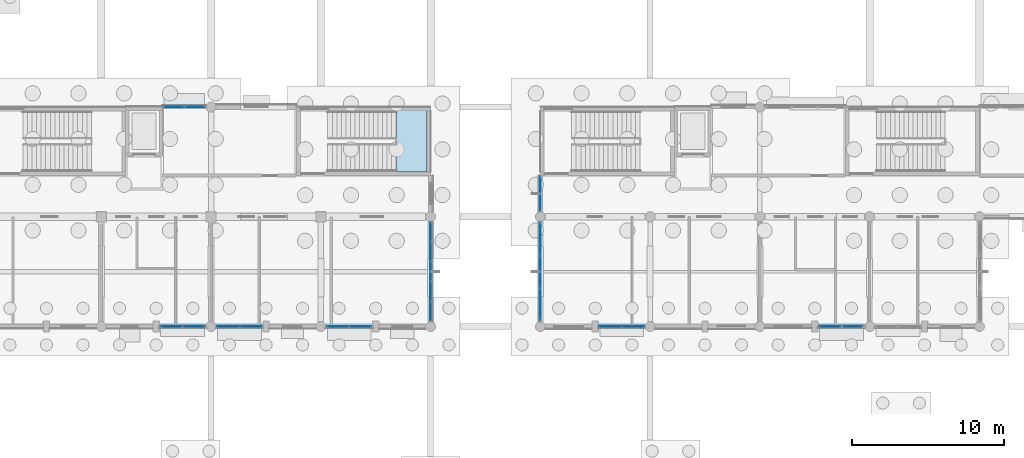
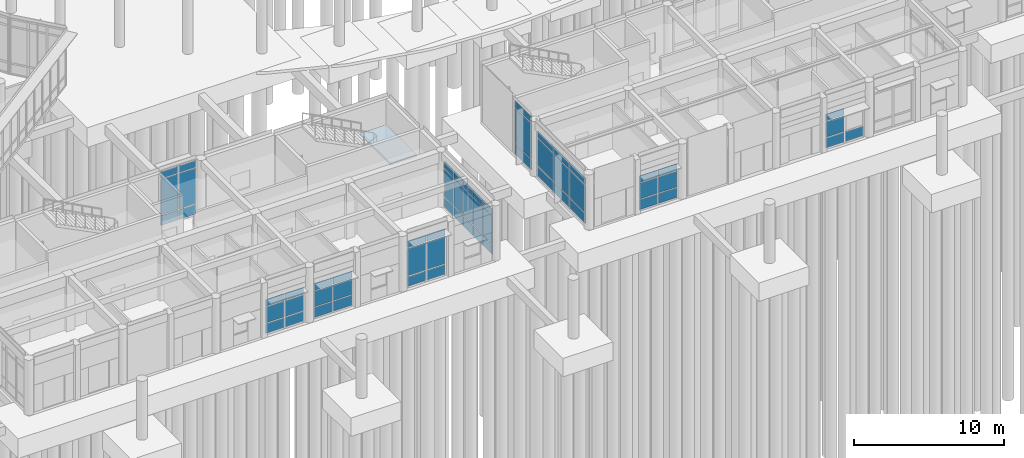
# One storey, part 43 of 103: 61 plates, 1 slab, 10 elements without a shape of their own.
"""IFC4 building model written with IfcOpenShell, lengths in metres."""

from ifc_helpers import new_model, si_unit, direction, frame, origin, origin_2d, place, context, subcontext, project, spatial, polyline, rectangle, outline, extrude, material, layer, layer_set, type_object, element, aggregate, save


model = new_model("IFC4")

# Units and contexts
model_context = context("Model", 3, precision=1e-05, world=origin(), true_north=direction((0.0, 1.0)))
body_context = subcontext(model_context, "Body", "Model", "MODEL_VIEW")
ifc_project = project(units=[si_unit("LENGTHUNIT", "METRE"), si_unit("AREAUNIT", "SQUARE_METRE"), si_unit("VOLUMEUNIT", "CUBIC_METRE"), si_unit("PLANEANGLEUNIT", "RADIAN"), si_unit("MASSUNIT", "GRAM", prefix="KILO")], contexts=[model_context])

# Site, building, storey
site_placement = place(None, origin())
site = spatial("IfcSite", under=ifc_project, at=site_placement, CompositionType="ELEMENT")
building_placement = place(site_placement, origin())
building = spatial("IfcBuilding", under=site, at=building_placement, Name="Namkhue Oval Health Centre", CompositionType="ELEMENT")
storey_placement = place(building_placement, origin())
storey = spatial("IfcBuildingStorey", under=building, at=storey_placement, Name="L00", CompositionType="ELEMENT", Elevation=0.0)

# Curtain wall, plates
ifc_material_1 = material(Name="Anodised aluminium EN AW-6063 T6", Category="aluminium")
ifc_layer_1 = layer(ifc_material_1, 0.159912109375)
ifc_layer_set_1 = layer_set([ifc_layer_1], Name="Anodised aluminium EN AW-6063 T6")
curtain_wall_type_1 = type_object("IfcCurtainWallType", Name="UNITISED CURTAIN WALL M1800", PredefinedType="NOTDEFINED", material=ifc_layer_set_1)
curtain_wall_1_placement = place(storey_placement, origin())
curtain_wall_1 = element("IfcCurtainWall", 1, at=curtain_wall_1_placement, inside=storey, type_object=curtain_wall_type_1, Name="Volume V4 L00 Unitised Curtain Wall 137", PredefinedType="NOTDEFINED")
ifc_material_2 = material(Name="Thermally broken low-E laminated double glazing", Category="glass")
ifc_layer_2 = layer(ifc_material_2, 0.02587890625)
ifc_layer_set_2 = layer_set([ifc_layer_2], Name="Thermally broken low-E laminated double glazing")
plate_type_1 = type_object("IfcPlateType", Name="CURTAIN WALL GLAZED PANEL 26", PredefinedType="CURTAIN_PANEL", material=ifc_layer_set_2)
plate_1_placement = place(storey_placement, frame((73.11474609375, 14.39990234375, 0.06494140625), z_axis=(0.0, 0.0, 1.0), x_axis=(1.0, 0.0, 0.0)))
plate_1 = element("IfcPlate", 2, at=plate_1_placement, type_object=plate_type_1, Name="CW-05 panel 1.1", PredefinedType="CURTAIN_PANEL", context=body_context, shape_type="SweptSolid", body=[
    extrude(rectangle(XDim=1.429443359375, YDim=0.02587890625, at=origin_2d()), origin(), (0.0, 0.0, 1.0), 0.802490234375),
])
plate_2_placement = place(storey_placement, frame((73.11474609375, 14.39990234375, 0.9326171875), z_axis=(0.0, 0.0, 1.0), x_axis=(1.0, 0.0, 0.0)))
plate_2 = element("IfcPlate", 3, at=plate_2_placement, type_object=plate_type_1, Name="CW-05 panel 1.2", PredefinedType="CURTAIN_PANEL", context=body_context, shape_type="SweptSolid", body=[
    extrude(rectangle(XDim=1.429443359375, YDim=0.02587890625, at=origin_2d()), origin(), (0.0, 0.0, 1.0), 1.284912109375),
])
plate_3_placement = place(storey_placement, frame((73.11474609375, 14.39990234375, 2.28271484375), z_axis=(0.0, 0.0, 1.0), x_axis=(1.0, 0.0, 0.0)))
plate_3 = element("IfcPlate", 4, at=plate_3_placement, type_object=plate_type_1, Name="CW-05 panel 1.3", PredefinedType="CURTAIN_PANEL", context=body_context, shape_type="SweptSolid", body=[
    extrude(rectangle(XDim=1.429443359375, YDim=0.02587890625, at=origin_2d()), origin(), (0.0, 0.0, 1.0), 0.552490234375),
])
plate_4_placement = place(storey_placement, frame((74.609130859375, 14.39990234375, 0.06494140625), z_axis=(0.0, 0.0, 1.0), x_axis=(1.0, 0.0, 0.0)))
plate_4 = element("IfcPlate", 5, at=plate_4_placement, type_object=plate_type_1, Name="CW-05 panel 2.1", PredefinedType="CURTAIN_PANEL", context=body_context, shape_type="SweptSolid", body=[
    extrude(rectangle(XDim=1.429443359375, YDim=0.02587890625, at=origin_2d()), origin(), (0.0, 0.0, 1.0), 0.802490234375),
])
plate_5_placement = place(storey_placement, frame((74.609130859375, 14.39990234375, 0.9326171875), z_axis=(0.0, 0.0, 1.0), x_axis=(1.0, 0.0, 0.0)))
plate_5 = element("IfcPlate", 6, at=plate_5_placement, type_object=plate_type_1, Name="CW-05 panel 2.2", PredefinedType="CURTAIN_PANEL", context=body_context, shape_type="SweptSolid", body=[
    extrude(rectangle(XDim=1.429443359375, YDim=0.02587890625, at=origin_2d()), origin(), (0.0, 0.0, 1.0), 1.284912109375),
])
plate_6_placement = place(storey_placement, frame((74.609130859375, 14.39990234375, 2.28271484375), z_axis=(0.0, 0.0, 1.0), x_axis=(1.0, 0.0, 0.0)))
plate_6 = element("IfcPlate", 7, at=plate_6_placement, type_object=plate_type_1, Name="CW-05 panel 2.3", PredefinedType="CURTAIN_PANEL", context=body_context, shape_type="SweptSolid", body=[
    extrude(rectangle(XDim=1.429443359375, YDim=0.02587890625, at=origin_2d()), origin(), (0.0, 0.0, 1.0), 0.552490234375),
])
aggregate(curtain_wall_1, [plate_1, plate_2, plate_3, plate_4, plate_5, plate_6])

ifc_layer_3 = layer(ifc_material_1, 0.159912109375)
ifc_layer_set_3 = layer_set([ifc_layer_3], Name="Anodised aluminium EN AW-6063 T6")
curtain_wall_type_2 = type_object("IfcCurtainWallType", Name="UNITISED CURTAIN WALL M1500", PredefinedType="NOTDEFINED", material=ifc_layer_set_3)
curtain_wall_2_placement = place(storey_placement, origin())
curtain_wall_2 = element("IfcCurtainWall", 8, at=curtain_wall_2_placement, inside=storey, type_object=curtain_wall_type_2, Name="Volume V5 L00 Unitised Curtain Wall 177", PredefinedType="NOTDEFINED")
plate_7_placement = place(storey_placement, frame((98.190673828125, 14.39990234375, 0.06494140625), z_axis=(0.0, 0.0, 1.0), x_axis=(1.0, 0.0, 0.0)))
plate_7 = element("IfcPlate", 9, at=plate_7_placement, type_object=plate_type_1, Name="CW-03 panel 1.1", PredefinedType="CURTAIN_PANEL", context=body_context, shape_type="SweptSolid", body=[
    extrude(rectangle(XDim=1.429443359375, YDim=0.02587890625, at=origin_2d()), origin(), (0.0, 0.0, 1.0), 0.802490234375),
])
plate_8_placement = place(storey_placement, frame((98.190673828125, 14.39990234375, 0.9326171875), z_axis=(0.0, 0.0, 1.0), x_axis=(1.0, 0.0, 0.0)))
plate_8 = element("IfcPlate", 10, at=plate_8_placement, type_object=plate_type_1, Name="CW-03 panel 1.2", PredefinedType="CURTAIN_PANEL", context=body_context, shape_type="SweptSolid", body=[
    extrude(rectangle(XDim=1.429443359375, YDim=0.02587890625, at=origin_2d()), origin(), (0.0, 0.0, 1.0), 1.284912109375),
])
plate_9_placement = place(storey_placement, frame((98.190673828125, 14.39990234375, 2.28271484375), z_axis=(0.0, 0.0, 1.0), x_axis=(1.0, 0.0, 0.0)))
plate_9 = element("IfcPlate", 11, at=plate_9_placement, type_object=plate_type_1, Name="CW-03 panel 1.3", PredefinedType="CURTAIN_PANEL", context=body_context, shape_type="SweptSolid", body=[
    extrude(rectangle(XDim=1.429443359375, YDim=0.02587890625, at=origin_2d()), origin(), (0.0, 0.0, 1.0), 0.552490234375),
])
plate_10_placement = place(storey_placement, frame((99.685302734375, 14.39990234375, 0.06494140625), z_axis=(0.0, 0.0, 1.0), x_axis=(1.0, 0.0, 0.0)))
plate_10 = element("IfcPlate", 12, at=plate_10_placement, type_object=plate_type_1, Name="CW-03 panel 2.1", PredefinedType="CURTAIN_PANEL", context=body_context, shape_type="SweptSolid", body=[
    extrude(rectangle(XDim=1.429443359375, YDim=0.02587890625, at=origin_2d()), origin(), (0.0, 0.0, 1.0), 0.802490234375),
])
plate_11_placement = place(storey_placement, frame((99.685302734375, 14.39990234375, 0.9326171875), z_axis=(0.0, 0.0, 1.0), x_axis=(1.0, 0.0, 0.0)))
plate_11 = element("IfcPlate", 13, at=plate_11_placement, type_object=plate_type_1, Name="CW-03 panel 2.2", PredefinedType="CURTAIN_PANEL", context=body_context, shape_type="SweptSolid", body=[
    extrude(rectangle(XDim=1.429443359375, YDim=0.02587890625, at=origin_2d()), origin(), (0.0, 0.0, 1.0), 1.284912109375),
])
plate_12_placement = place(storey_placement, frame((99.685302734375, 14.39990234375, 2.28271484375), z_axis=(0.0, 0.0, 1.0), x_axis=(1.0, 0.0, 0.0)))
plate_12 = element("IfcPlate", 14, at=plate_12_placement, type_object=plate_type_1, Name="CW-03 panel 2.3", PredefinedType="CURTAIN_PANEL", context=body_context, shape_type="SweptSolid", body=[
    extrude(rectangle(XDim=1.429443359375, YDim=0.02587890625, at=origin_2d()), origin(), (0.0, 0.0, 1.0), 0.552490234375),
])
aggregate(curtain_wall_2, [plate_7, plate_8, plate_9, plate_10, plate_11, plate_12])

curtain_wall_3_placement = place(storey_placement, origin())
curtain_wall_3 = element("IfcCurtainWall", 15, at=curtain_wall_3_placement, inside=storey, type_object=curtain_wall_type_1, Name="Volume V5 L00 Unitised Curtain Wall 185", PredefinedType="NOTDEFINED")
plate_13_placement = place(storey_placement, frame((93.60009765625, 23.10888671875, 0.06494140625), z_axis=(0.0, 0.0, 1.0), x_axis=(0.0, -1.0, 0.0)))
plate_13 = element("IfcPlate", 16, at=plate_13_placement, type_object=plate_type_1, Name="CW-05 panel 1.1", PredefinedType="CURTAIN_PANEL", context=body_context, shape_type="SweptSolid", body=[
    extrude(rectangle(XDim=2.218017578125, YDim=0.02587890625, at=origin_2d()), origin(), (0.0, 0.0, 1.0), 0.802490234375),
])
plate_14_placement = place(storey_placement, frame((93.60009765625, 23.10888671875, 0.9326171875), z_axis=(0.0, 0.0, 1.0), x_axis=(0.0, -1.0, 0.0)))
plate_14 = element("IfcPlate", 17, at=plate_14_placement, type_object=plate_type_1, Name="CW-05 panel 1.2", PredefinedType="CURTAIN_PANEL", context=body_context, shape_type="SweptSolid", body=[
    extrude(rectangle(XDim=2.218017578125, YDim=0.02587890625, at=origin_2d()), origin(), (0.0, 0.0, 1.0), 2.8798828125),
])
plate_15_placement = place(storey_placement, frame((93.60009765625, 23.10888671875, 3.87744140625), z_axis=(0.0, 0.0, 1.0), x_axis=(0.0, -1.0, 0.0)))
plate_15 = element("IfcPlate", 18, at=plate_15_placement, type_object=plate_type_1, Name="CW-05 panel 1.3", PredefinedType="CURTAIN_PANEL", context=body_context, shape_type="SweptSolid", body=[
    extrude(rectangle(XDim=2.218017578125, YDim=0.02587890625, at=origin_2d()), origin(), (0.0, 0.0, 1.0), 0.552490234375),
])
aggregate(curtain_wall_3, [plate_13, plate_14, plate_15])

ifc_layer_4 = layer(ifc_material_1, 0.159912109375)
ifc_layer_set_4 = layer_set([ifc_layer_4], Name="Anodised aluminium EN AW-6063 T6")
curtain_wall_type_3 = type_object("IfcCurtainWallType", Name="UNITISED CURTAIN WALL M2000", PredefinedType="NOTDEFINED", material=ifc_layer_set_4)
curtain_wall_4_placement = place(storey_placement, origin())
curtain_wall_4 = element("IfcCurtainWall", 19, at=curtain_wall_4_placement, inside=storey, type_object=curtain_wall_type_3, Name="Volume V4 L00 Unitised Curtain Wall 138", PredefinedType="NOTDEFINED")
ifc_layer_5 = layer(ifc_material_2, 0.028076171875)
ifc_layer_set_5 = layer_set([ifc_layer_5], Name="Thermally broken low-E laminated double glazing")
plate_type_2 = type_object("IfcPlateType", Name="CURTAIN WALL GLAZED PANEL 28", PredefinedType="CURTAIN_PANEL", material=ifc_layer_set_5)
plate_16_placement = place(storey_placement, frame((80.317138671875, 14.39990234375, 0.074951171875), z_axis=(0.0, 0.0, 1.0), x_axis=(1.0, 0.0, 0.0)))
plate_16 = element("IfcPlate", 20, at=plate_16_placement, type_object=plate_type_2, Name="CW-06 panel 1.1", PredefinedType="CURTAIN_PANEL", context=body_context, shape_type="SweptSolid", body=[
    extrude(rectangle(XDim=1.41455078125, YDim=0.028076171875, at=origin_2d()), origin(), (0.0, 0.0, 1.0), 0.78759765625),
])
plate_17_placement = place(storey_placement, frame((80.317138671875, 14.39990234375, 0.9375), z_axis=(0.0, 0.0, 1.0), x_axis=(1.0, 0.0, 0.0)))
plate_17 = element("IfcPlate", 21, at=plate_17_placement, type_object=plate_type_2, Name="CW-06 panel 1.2", PredefinedType="CURTAIN_PANEL", context=body_context, shape_type="SweptSolid", body=[
    extrude(rectangle(XDim=1.41455078125, YDim=0.028076171875, at=origin_2d()), origin(), (0.0, 0.0, 1.0), 2.235107421875),
])
plate_18_placement = place(storey_placement, frame((80.317138671875, 14.39990234375, 3.24755859375), z_axis=(0.0, 0.0, 1.0), x_axis=(1.0, 0.0, 0.0)))
plate_18 = element("IfcPlate", 22, at=plate_18_placement, type_object=plate_type_2, Name="CW-06 panel 1.3", PredefinedType="CURTAIN_PANEL", context=body_context, shape_type="SweptSolid", body=[
    extrude(rectangle(XDim=1.41455078125, YDim=0.028076171875, at=origin_2d()), origin(), (0.0, 0.0, 1.0), 0.53759765625),
])
plate_19_placement = place(storey_placement, frame((81.806640625, 14.39990234375, 0.074951171875), z_axis=(0.0, 0.0, 1.0), x_axis=(1.0, 0.0, 0.0)))
plate_19 = element("IfcPlate", 23, at=plate_19_placement, type_object=plate_type_2, Name="CW-06 panel 2.1", PredefinedType="CURTAIN_PANEL", context=body_context, shape_type="SweptSolid", body=[
    extrude(rectangle(XDim=1.41455078125, YDim=0.028076171875, at=origin_2d()), origin(), (0.0, 0.0, 1.0), 0.78759765625),
])
plate_20_placement = place(storey_placement, frame((81.806640625, 14.39990234375, 0.9375), z_axis=(0.0, 0.0, 1.0), x_axis=(1.0, 0.0, 0.0)))
plate_20 = element("IfcPlate", 24, at=plate_20_placement, type_object=plate_type_2, Name="CW-06 panel 2.2", PredefinedType="CURTAIN_PANEL", context=body_context, shape_type="SweptSolid", body=[
    extrude(rectangle(XDim=1.41455078125, YDim=0.028076171875, at=origin_2d()), origin(), (0.0, 0.0, 1.0), 2.235107421875),
])
plate_21_placement = place(storey_placement, frame((81.806640625, 14.39990234375, 3.24755859375), z_axis=(0.0, 0.0, 1.0), x_axis=(1.0, 0.0, 0.0)))
plate_21 = element("IfcPlate", 25, at=plate_21_placement, type_object=plate_type_2, Name="CW-06 panel 2.3", PredefinedType="CURTAIN_PANEL", context=body_context, shape_type="SweptSolid", body=[
    extrude(rectangle(XDim=1.41455078125, YDim=0.028076171875, at=origin_2d()), origin(), (0.0, 0.0, 1.0), 0.53759765625),
])
aggregate(curtain_wall_4, [plate_16, plate_17, plate_18, plate_19, plate_20, plate_21])

ifc_layer_6 = layer(ifc_material_1, 0.159912109375)
ifc_layer_set_6 = layer_set([ifc_layer_6], Name="Anodised aluminium EN AW-6063 T6")
curtain_wall_type_4 = type_object("IfcCurtainWallType", Name="UNITISED CURTAIN WALL M1600", PredefinedType="NOTDEFINED", material=ifc_layer_set_6)
curtain_wall_5_placement = place(storey_placement, origin())
curtain_wall_5 = element("IfcCurtainWall", 26, at=curtain_wall_5_placement, inside=storey, type_object=curtain_wall_type_4, Name="Volume V5 L00 Unitised Curtain Wall 178", PredefinedType="NOTDEFINED")
plate_22_placement = place(storey_placement, frame((112.59326171875, 14.39990234375, 0.074951171875), z_axis=(0.0, 0.0, 1.0), x_axis=(1.0, 0.0, 0.0)))
plate_22 = element("IfcPlate", 27, at=plate_22_placement, type_object=plate_type_2, Name="CW-04 panel 1.1", PredefinedType="CURTAIN_PANEL", context=body_context, shape_type="SweptSolid", body=[
    extrude(rectangle(XDim=1.41455078125, YDim=0.028076171875, at=origin_2d()), origin(), (0.0, 0.0, 1.0), 0.78759765625),
])
plate_23_placement = place(storey_placement, frame((112.59326171875, 14.39990234375, 0.9375), z_axis=(0.0, 0.0, 1.0), x_axis=(1.0, 0.0, 0.0)))
plate_23 = element("IfcPlate", 28, at=plate_23_placement, type_object=plate_type_2, Name="CW-04 panel 1.2", PredefinedType="CURTAIN_PANEL", context=body_context, shape_type="SweptSolid", body=[
    extrude(rectangle(XDim=1.41455078125, YDim=0.028076171875, at=origin_2d()), origin(), (0.0, 0.0, 1.0), 1.27490234375),
])
plate_24_placement = place(storey_placement, frame((112.59326171875, 14.39990234375, 2.287353515625), z_axis=(0.0, 0.0, 1.0), x_axis=(1.0, 0.0, 0.0)))
plate_24 = element("IfcPlate", 29, at=plate_24_placement, type_object=plate_type_2, Name="CW-04 panel 1.3", PredefinedType="CURTAIN_PANEL", context=body_context, shape_type="SweptSolid", body=[
    extrude(rectangle(XDim=1.41455078125, YDim=0.028076171875, at=origin_2d()), origin(), (0.0, 0.0, 1.0), 0.53759765625),
])
plate_25_placement = place(storey_placement, frame((114.082763671875, 14.39990234375, 0.074951171875), z_axis=(0.0, 0.0, 1.0), x_axis=(1.0, 0.0, 0.0)))
plate_25 = element("IfcPlate", 30, at=plate_25_placement, type_object=plate_type_2, Name="CW-04 panel 2.1", PredefinedType="CURTAIN_PANEL", context=body_context, shape_type="SweptSolid", body=[
    extrude(rectangle(XDim=1.41455078125, YDim=0.028076171875, at=origin_2d()), origin(), (0.0, 0.0, 1.0), 0.78759765625),
])
aggregate(curtain_wall_5, [plate_22, plate_23, plate_24, plate_25])

curtain_wall_6_placement = place(storey_placement, origin())
curtain_wall_6 = element("IfcCurtainWall", 31, at=curtain_wall_6_placement, inside=storey, type_object=curtain_wall_type_3, Name="Volume V5 L00 Unitised Curtain Wall 186", PredefinedType="NOTDEFINED")
plate_26_placement = place(storey_placement, frame((93.60009765625, 20.157958984375, 0.074951171875), z_axis=(0.0, 0.0, 1.0), x_axis=(0.0, -1.0, 0.0)))
plate_26 = element("IfcPlate", 32, at=plate_26_placement, type_object=plate_type_2, Name="CW-06 panel 1.1", PredefinedType="CURTAIN_PANEL", context=body_context, shape_type="SweptSolid", body=[
    extrude(rectangle(XDim=2.064208984375, YDim=0.028076171875, at=origin_2d()), origin(), (0.0, 0.0, 1.0), 0.78759765625),
])
plate_27_placement = place(storey_placement, frame((93.60009765625, 20.157958984375, 0.9375), z_axis=(0.0, 0.0, 1.0), x_axis=(0.0, -1.0, 0.0)))
plate_27 = element("IfcPlate", 33, at=plate_27_placement, type_object=plate_type_2, Name="CW-06 panel 1.2", PredefinedType="CURTAIN_PANEL", context=body_context, shape_type="SweptSolid", body=[
    extrude(rectangle(XDim=2.064208984375, YDim=0.028076171875, at=origin_2d()), origin(), (0.0, 0.0, 1.0), 2.219970703125),
])
plate_28_placement = place(storey_placement, frame((93.60009765625, 20.157958984375, 3.232421875), z_axis=(0.0, 0.0, 1.0), x_axis=(0.0, -1.0, 0.0)))
plate_28 = element("IfcPlate", 34, at=plate_28_placement, type_object=plate_type_2, Name="CW-06 panel 1.3", PredefinedType="CURTAIN_PANEL", context=body_context, shape_type="SweptSolid", body=[
    extrude(rectangle(XDim=2.064208984375, YDim=0.028076171875, at=origin_2d()), origin(), (0.0, 0.0, 1.0), 0.53759765625),
])
plate_29_placement = place(storey_placement, frame((93.60009765625, 18.0, 0.074951171875), z_axis=(0.0, 0.0, 1.0), x_axis=(0.0, -1.0, 0.0)))
plate_29 = element("IfcPlate", 35, at=plate_29_placement, type_object=plate_type_2, Name="CW-06 panel 2.1", PredefinedType="CURTAIN_PANEL", context=body_context, shape_type="SweptSolid", body=[
    extrude(rectangle(XDim=2.1015625, YDim=0.028076171875, at=origin_2d()), origin(), (0.0, 0.0, 1.0), 0.78759765625),
])
plate_30_placement = place(storey_placement, frame((93.60009765625, 18.0, 0.9375), z_axis=(0.0, 0.0, 1.0), x_axis=(0.0, -1.0, 0.0)))
plate_30 = element("IfcPlate", 36, at=plate_30_placement, type_object=plate_type_2, Name="CW-06 panel 2.2", PredefinedType="CURTAIN_PANEL", context=body_context, shape_type="SweptSolid", body=[
    extrude(rectangle(XDim=2.1015625, YDim=0.028076171875, at=origin_2d()), origin(), (0.0, 0.0, 1.0), 2.219970703125),
])
plate_31_placement = place(storey_placement, frame((93.60009765625, 18.0, 3.232421875), z_axis=(0.0, 0.0, 1.0), x_axis=(0.0, -1.0, 0.0)))
plate_31 = element("IfcPlate", 37, at=plate_31_placement, type_object=plate_type_2, Name="CW-06 panel 2.3", PredefinedType="CURTAIN_PANEL", context=body_context, shape_type="SweptSolid", body=[
    extrude(rectangle(XDim=2.1015625, YDim=0.028076171875, at=origin_2d()), origin(), (0.0, 0.0, 1.0), 0.53759765625),
])
plate_32_placement = place(storey_placement, frame((93.60009765625, 15.842041015625, 0.074951171875), z_axis=(0.0, 0.0, 1.0), x_axis=(0.0, -1.0, 0.0)))
plate_32 = element("IfcPlate", 38, at=plate_32_placement, type_object=plate_type_2, Name="CW-06 panel 3.1", PredefinedType="CURTAIN_PANEL", context=body_context, shape_type="SweptSolid", body=[
    extrude(rectangle(XDim=2.064208984375, YDim=0.028076171875, at=origin_2d()), origin(), (0.0, 0.0, 1.0), 0.78759765625),
])
plate_33_placement = place(storey_placement, frame((93.60009765625, 15.842041015625, 0.9375), z_axis=(0.0, 0.0, 1.0), x_axis=(0.0, -1.0, 0.0)))
plate_33 = element("IfcPlate", 39, at=plate_33_placement, type_object=plate_type_2, Name="CW-06 panel 3.2", PredefinedType="CURTAIN_PANEL", context=body_context, shape_type="SweptSolid", body=[
    extrude(rectangle(XDim=2.064208984375, YDim=0.028076171875, at=origin_2d()), origin(), (0.0, 0.0, 1.0), 2.219970703125),
])
plate_34_placement = place(storey_placement, frame((93.60009765625, 15.842041015625, 3.232421875), z_axis=(0.0, 0.0, 1.0), x_axis=(0.0, -1.0, 0.0)))
plate_34 = element("IfcPlate", 40, at=plate_34_placement, type_object=plate_type_2, Name="CW-06 panel 3.3", PredefinedType="CURTAIN_PANEL", context=body_context, shape_type="SweptSolid", body=[
    extrude(rectangle(XDim=2.064208984375, YDim=0.028076171875, at=origin_2d()), origin(), (0.0, 0.0, 1.0), 0.53759765625),
])
aggregate(curtain_wall_6, [plate_26, plate_27, plate_28, plate_29, plate_30, plate_31, plate_32, plate_33, plate_34])

ifc_layer_7 = layer(ifc_material_1, 0.159912109375)
ifc_layer_set_7 = layer_set([ifc_layer_7], Name="Anodised aluminium EN AW-6063 T6")
curtain_wall_type_5 = type_object("IfcCurtainWallType", Name="UNITISED CURTAIN WALL M1200", PredefinedType="NOTDEFINED", material=ifc_layer_set_7)
curtain_wall_7_placement = place(storey_placement, origin())
curtain_wall_7 = element("IfcCurtainWall", 41, at=curtain_wall_7_placement, inside=storey, type_object=curtain_wall_type_5, Name="Volume V4 L00 Unitised Curtain Wall 139", PredefinedType="NOTDEFINED")
ifc_material_3 = material(Name="Insulated anodised aluminium spandrel panel", Category="aluminium")
ifc_layer_8 = layer(ifc_material_3, 0.031982421875)
ifc_layer_set_8 = layer_set([ifc_layer_8], Name="Insulated anodised aluminium spandrel panel")
plate_type_3 = type_object("IfcPlateType", Name="CURTAIN WALL SPANDREL PANEL 32", PredefinedType="CURTAIN_PANEL", material=ifc_layer_set_8)
plate_35_placement = place(storey_placement, frame((86.39990234375, 15.404296875, 0.06494140625), z_axis=(0.0, 0.0, 1.0), x_axis=(0.0, 1.0, 0.0)))
plate_35 = element("IfcPlate", 42, at=plate_35_placement, type_object=plate_type_3, Name="CW-01 panel 1.1", PredefinedType="CURTAIN_PANEL", context=body_context, shape_type="SweptSolid", body=[
    extrude(rectangle(XDim=1.20849609375, YDim=0.031982421875, at=origin_2d()), origin(), (0.0, 0.0, 1.0), 0.802490234375),
])
plate_36_placement = place(storey_placement, frame((86.39990234375, 15.404296875, 0.932373046875), z_axis=(0.0, 0.0, 1.0), x_axis=(0.0, 1.0, 0.0)))
plate_36 = element("IfcPlate", 43, at=plate_36_placement, type_object=plate_type_3, Name="CW-01 panel 1.2", PredefinedType="CURTAIN_PANEL", context=body_context, shape_type="SweptSolid", body=[
    extrude(rectangle(XDim=1.20849609375, YDim=0.031982421875, at=origin_2d()), origin(), (0.0, 0.0, 1.0), 2.2451171875),
])
plate_37_placement = place(storey_placement, frame((86.39990234375, 15.404296875, 3.24267578125), z_axis=(0.0, 0.0, 1.0), x_axis=(0.0, 1.0, 0.0)))
plate_37 = element("IfcPlate", 44, at=plate_37_placement, type_object=plate_type_3, Name="CW-01 panel 1.3", PredefinedType="CURTAIN_PANEL", context=body_context, shape_type="SweptSolid", body=[
    extrude(rectangle(XDim=1.20849609375, YDim=0.031982421875, at=origin_2d()), origin(), (0.0, 0.0, 1.0), 0.552490234375),
])
plate_38_placement = place(storey_placement, frame((86.39990234375, 16.694091796875, 0.06494140625), z_axis=(0.0, 0.0, 1.0), x_axis=(0.0, 1.0, 0.0)))
plate_38 = element("IfcPlate", 45, at=plate_38_placement, type_object=plate_type_3, Name="CW-01 panel 2.1", PredefinedType="CURTAIN_PANEL", context=body_context, shape_type="SweptSolid", body=[
    extrude(rectangle(XDim=1.240966796875, YDim=0.031982421875, at=origin_2d()), origin(), (0.0, 0.0, 1.0), 0.802490234375),
])
plate_39_placement = place(storey_placement, frame((86.39990234375, 16.694091796875, 0.932373046875), z_axis=(0.0, 0.0, 1.0), x_axis=(0.0, 1.0, 0.0)))
plate_39 = element("IfcPlate", 46, at=plate_39_placement, type_object=plate_type_3, Name="CW-01 panel 2.2", PredefinedType="CURTAIN_PANEL", context=body_context, shape_type="SweptSolid", body=[
    extrude(rectangle(XDim=1.240966796875, YDim=0.031982421875, at=origin_2d()), origin(), (0.0, 0.0, 1.0), 2.2451171875),
])
plate_40_placement = place(storey_placement, frame((86.39990234375, 16.694091796875, 3.24267578125), z_axis=(0.0, 0.0, 1.0), x_axis=(0.0, 1.0, 0.0)))
plate_40 = element("IfcPlate", 47, at=plate_40_placement, type_object=plate_type_3, Name="CW-01 panel 2.3", PredefinedType="CURTAIN_PANEL", context=body_context, shape_type="SweptSolid", body=[
    extrude(rectangle(XDim=1.240966796875, YDim=0.031982421875, at=origin_2d()), origin(), (0.0, 0.0, 1.0), 0.552490234375),
])
plate_41_placement = place(storey_placement, frame((86.39990234375, 18.0, 0.06494140625), z_axis=(0.0, 0.0, 1.0), x_axis=(0.0, 1.0, 0.0)))
plate_41 = element("IfcPlate", 48, at=plate_41_placement, type_object=plate_type_3, Name="CW-01 panel 3.1", PredefinedType="CURTAIN_PANEL", context=body_context, shape_type="SweptSolid", body=[
    extrude(rectangle(XDim=1.240966796875, YDim=0.031982421875, at=origin_2d()), origin(), (0.0, 0.0, 1.0), 0.802490234375),
])
plate_42_placement = place(storey_placement, frame((86.39990234375, 18.0, 0.932373046875), z_axis=(0.0, 0.0, 1.0), x_axis=(0.0, 1.0, 0.0)))
plate_42 = element("IfcPlate", 49, at=plate_42_placement, type_object=plate_type_3, Name="CW-01 panel 3.2", PredefinedType="CURTAIN_PANEL", context=body_context, shape_type="SweptSolid", body=[
    extrude(rectangle(XDim=1.240966796875, YDim=0.031982421875, at=origin_2d()), origin(), (0.0, 0.0, 1.0), 2.2451171875),
])
plate_43_placement = place(storey_placement, frame((86.39990234375, 18.0, 3.24267578125), z_axis=(0.0, 0.0, 1.0), x_axis=(0.0, 1.0, 0.0)))
plate_43 = element("IfcPlate", 50, at=plate_43_placement, type_object=plate_type_3, Name="CW-01 panel 3.3", PredefinedType="CURTAIN_PANEL", context=body_context, shape_type="SweptSolid", body=[
    extrude(rectangle(XDim=1.240966796875, YDim=0.031982421875, at=origin_2d()), origin(), (0.0, 0.0, 1.0), 0.552490234375),
])
plate_44_placement = place(storey_placement, frame((86.39990234375, 19.305908203125, 0.06494140625), z_axis=(0.0, 0.0, 1.0), x_axis=(0.0, 1.0, 0.0)))
plate_44 = element("IfcPlate", 51, at=plate_44_placement, type_object=plate_type_3, Name="CW-01 panel 4.1", PredefinedType="CURTAIN_PANEL", context=body_context, shape_type="SweptSolid", body=[
    extrude(rectangle(XDim=1.240966796875, YDim=0.031982421875, at=origin_2d()), origin(), (0.0, 0.0, 1.0), 0.802490234375),
])
plate_45_placement = place(storey_placement, frame((86.39990234375, 19.305908203125, 0.932373046875), z_axis=(0.0, 0.0, 1.0), x_axis=(0.0, 1.0, 0.0)))
plate_45 = element("IfcPlate", 52, at=plate_45_placement, type_object=plate_type_3, Name="CW-01 panel 4.2", PredefinedType="CURTAIN_PANEL", context=body_context, shape_type="SweptSolid", body=[
    extrude(rectangle(XDim=1.240966796875, YDim=0.031982421875, at=origin_2d()), origin(), (0.0, 0.0, 1.0), 2.2451171875),
])
plate_46_placement = place(storey_placement, frame((86.39990234375, 19.305908203125, 3.24267578125), z_axis=(0.0, 0.0, 1.0), x_axis=(0.0, 1.0, 0.0)))
plate_46 = element("IfcPlate", 53, at=plate_46_placement, type_object=plate_type_3, Name="CW-01 panel 4.3", PredefinedType="CURTAIN_PANEL", context=body_context, shape_type="SweptSolid", body=[
    extrude(rectangle(XDim=1.240966796875, YDim=0.031982421875, at=origin_2d()), origin(), (0.0, 0.0, 1.0), 0.552490234375),
])
plate_47_placement = place(storey_placement, frame((86.39990234375, 20.595703125, 0.06494140625), z_axis=(0.0, 0.0, 1.0), x_axis=(0.0, 1.0, 0.0)))
plate_47 = element("IfcPlate", 54, at=plate_47_placement, type_object=plate_type_3, Name="CW-01 panel 5.1", PredefinedType="CURTAIN_PANEL", context=body_context, shape_type="SweptSolid", body=[
    extrude(rectangle(XDim=1.20849609375, YDim=0.031982421875, at=origin_2d()), origin(), (0.0, 0.0, 1.0), 0.802490234375),
])
plate_48_placement = place(storey_placement, frame((86.39990234375, 20.595703125, 0.932373046875), z_axis=(0.0, 0.0, 1.0), x_axis=(0.0, 1.0, 0.0)))
plate_48 = element("IfcPlate", 55, at=plate_48_placement, type_object=plate_type_3, Name="CW-01 panel 5.2", PredefinedType="CURTAIN_PANEL", context=body_context, shape_type="SweptSolid", body=[
    extrude(rectangle(XDim=1.20849609375, YDim=0.031982421875, at=origin_2d()), origin(), (0.0, 0.0, 1.0), 2.2451171875),
])
plate_49_placement = place(storey_placement, frame((86.39990234375, 20.595703125, 3.24267578125), z_axis=(0.0, 0.0, 1.0), x_axis=(0.0, 1.0, 0.0)))
plate_49 = element("IfcPlate", 56, at=plate_49_placement, type_object=plate_type_3, Name="CW-01 panel 5.3", PredefinedType="CURTAIN_PANEL", context=body_context, shape_type="SweptSolid", body=[
    extrude(rectangle(XDim=1.20849609375, YDim=0.031982421875, at=origin_2d()), origin(), (0.0, 0.0, 1.0), 0.552490234375),
])
aggregate(curtain_wall_7, [plate_35, plate_36, plate_37, plate_38, plate_39, plate_40, plate_41, plate_42, plate_43, plate_44, plate_45, plate_46, plate_47, plate_48, plate_49])

curtain_wall_8_placement = place(storey_placement, origin())
curtain_wall_8 = element("IfcCurtainWall", 57, at=curtain_wall_8_placement, inside=storey, type_object=curtain_wall_type_4, Name="Volume V4 L00 Unitised Curtain Wall 136", PredefinedType="NOTDEFINED")
ifc_layer_9 = layer(ifc_material_3, 0.035888671875)
ifc_layer_set_9 = layer_set([ifc_layer_9], Name="Insulated anodised aluminium spandrel panel")
plate_type_4 = type_object("IfcPlateType", Name="CURTAIN WALL SPANDREL PANEL 36", PredefinedType="CURTAIN_PANEL", material=ifc_layer_set_9)
plate_50_placement = place(storey_placement, frame((69.393310546875, 14.39990234375, 0.074951171875), z_axis=(0.0, 0.0, 1.0), x_axis=(1.0, 0.0, 0.0)))
plate_50 = element("IfcPlate", 58, at=plate_50_placement, type_object=plate_type_4, Name="CW-04 panel 1.1", PredefinedType="CURTAIN_PANEL", context=body_context, shape_type="SweptSolid", body=[
    extrude(rectangle(XDim=1.41455078125, YDim=0.035888671875, at=origin_2d()), origin(), (0.0, 0.0, 1.0), 0.78759765625),
])
plate_51_placement = place(storey_placement, frame((69.393310546875, 14.39990234375, 0.9375), z_axis=(0.0, 0.0, 1.0), x_axis=(1.0, 0.0, 0.0)))
plate_51 = element("IfcPlate", 59, at=plate_51_placement, type_object=plate_type_4, Name="CW-04 panel 1.2", PredefinedType="CURTAIN_PANEL", context=body_context, shape_type="SweptSolid", body=[
    extrude(rectangle(XDim=1.41455078125, YDim=0.035888671875, at=origin_2d()), origin(), (0.0, 0.0, 1.0), 1.27490234375),
])
plate_52_placement = place(storey_placement, frame((69.393310546875, 14.39990234375, 2.287353515625), z_axis=(0.0, 0.0, 1.0), x_axis=(1.0, 0.0, 0.0)))
plate_52 = element("IfcPlate", 60, at=plate_52_placement, type_object=plate_type_4, Name="CW-04 panel 1.3", PredefinedType="CURTAIN_PANEL", context=body_context, shape_type="SweptSolid", body=[
    extrude(rectangle(XDim=1.41455078125, YDim=0.035888671875, at=origin_2d()), origin(), (0.0, 0.0, 1.0), 0.53759765625),
])
plate_53_placement = place(storey_placement, frame((70.8828125, 14.39990234375, 0.074951171875), z_axis=(0.0, 0.0, 1.0), x_axis=(1.0, 0.0, 0.0)))
plate_53 = element("IfcPlate", 61, at=plate_53_placement, type_object=plate_type_4, Name="CW-04 panel 2.1", PredefinedType="CURTAIN_PANEL", context=body_context, shape_type="SweptSolid", body=[
    extrude(rectangle(XDim=1.41455078125, YDim=0.035888671875, at=origin_2d()), origin(), (0.0, 0.0, 1.0), 0.78759765625),
])
plate_54_placement = place(storey_placement, frame((70.8828125, 14.39990234375, 0.9375), z_axis=(0.0, 0.0, 1.0), x_axis=(1.0, 0.0, 0.0)))
plate_54 = element("IfcPlate", 62, at=plate_54_placement, type_object=plate_type_4, Name="CW-04 panel 2.2", PredefinedType="CURTAIN_PANEL", context=body_context, shape_type="SweptSolid", body=[
    extrude(rectangle(XDim=1.41455078125, YDim=0.035888671875, at=origin_2d()), origin(), (0.0, 0.0, 1.0), 1.27490234375),
])
plate_55_placement = place(storey_placement, frame((70.8828125, 14.39990234375, 2.287353515625), z_axis=(0.0, 0.0, 1.0), x_axis=(1.0, 0.0, 0.0)))
plate_55 = element("IfcPlate", 63, at=plate_55_placement, type_object=plate_type_4, Name="CW-04 panel 2.3", PredefinedType="CURTAIN_PANEL", context=body_context, shape_type="SweptSolid", body=[
    extrude(rectangle(XDim=1.41455078125, YDim=0.035888671875, at=origin_2d()), origin(), (0.0, 0.0, 1.0), 0.53759765625),
])
aggregate(curtain_wall_8, [plate_50, plate_51, plate_52, plate_53, plate_54, plate_55])

ifc_layer_10 = layer(ifc_material_1, 0.159912109375)
ifc_layer_set_10 = layer_set([ifc_layer_10], Name="Anodised aluminium EN AW-6063 T6")
curtain_wall_type_6 = type_object("IfcCurtainWallType", Name="UNITISED CURTAIN WALL M1350", PredefinedType="NOTDEFINED", material=ifc_layer_set_10)
curtain_wall_9_placement = place(storey_placement, origin())
curtain_wall_9 = element("IfcCurtainWall", 64, at=curtain_wall_9_placement, inside=storey, type_object=curtain_wall_type_6, Name="Volume V4 L00 Unitised Curtain Wall 140", PredefinedType="NOTDEFINED")
plate_56_placement = place(storey_placement, frame((70.934326171875, 28.800048828125, 0.074951171875), z_axis=(0.0, 0.0, 1.0), x_axis=(-1.0, 0.0, 0.0)))
plate_56 = element("IfcPlate", 65, at=plate_56_placement, type_object=plate_type_4, Name="CW-02 panel 1.1", PredefinedType="CURTAIN_PANEL", context=body_context, shape_type="SweptSolid", body=[
    extrude(rectangle(XDim=1.3115234375, YDim=0.035888671875, at=origin_2d()), origin(), (0.0, 0.0, 1.0), 0.78759765625),
])
plate_57_placement = place(storey_placement, frame((70.934326171875, 28.800048828125, 0.9375), z_axis=(0.0, 0.0, 1.0), x_axis=(-1.0, 0.0, 0.0)))
plate_57 = element("IfcPlate", 66, at=plate_57_placement, type_object=plate_type_4, Name="CW-02 panel 1.2", PredefinedType="CURTAIN_PANEL", context=body_context, shape_type="SweptSolid", body=[
    extrude(rectangle(XDim=1.3115234375, YDim=0.035888671875, at=origin_2d()), origin(), (0.0, 0.0, 1.0), 2.885009765625),
])
plate_58_placement = place(storey_placement, frame((70.934326171875, 28.800048828125, 3.8974609375), z_axis=(0.0, 0.0, 1.0), x_axis=(-1.0, 0.0, 0.0)))
plate_58 = element("IfcPlate", 67, at=plate_58_placement, type_object=plate_type_4, Name="CW-02 panel 1.3", PredefinedType="CURTAIN_PANEL", context=body_context, shape_type="SweptSolid", body=[
    extrude(rectangle(XDim=1.3115234375, YDim=0.035888671875, at=origin_2d()), origin(), (0.0, 0.0, 1.0), 0.53759765625),
])
plate_59_placement = place(storey_placement, frame((69.5478515625, 28.800048828125, 0.074951171875), z_axis=(0.0, 0.0, 1.0), x_axis=(-1.0, 0.0, 0.0)))
plate_59 = element("IfcPlate", 68, at=plate_59_placement, type_object=plate_type_4, Name="CW-02 panel 2.1", PredefinedType="CURTAIN_PANEL", context=body_context, shape_type="SweptSolid", body=[
    extrude(rectangle(XDim=1.3115234375, YDim=0.035888671875, at=origin_2d()), origin(), (0.0, 0.0, 1.0), 0.78759765625),
])
plate_60_placement = place(storey_placement, frame((69.5478515625, 28.800048828125, 0.9375), z_axis=(0.0, 0.0, 1.0), x_axis=(-1.0, 0.0, 0.0)))
plate_60 = element("IfcPlate", 69, at=plate_60_placement, type_object=plate_type_4, Name="CW-02 panel 2.2", PredefinedType="CURTAIN_PANEL", context=body_context, shape_type="SweptSolid", body=[
    extrude(rectangle(XDim=1.3115234375, YDim=0.035888671875, at=origin_2d()), origin(), (0.0, 0.0, 1.0), 2.885009765625),
])
plate_61_placement = place(storey_placement, frame((69.5478515625, 28.800048828125, 3.8974609375), z_axis=(0.0, 0.0, 1.0), x_axis=(-1.0, 0.0, 0.0)))
plate_61 = element("IfcPlate", 70, at=plate_61_placement, type_object=plate_type_4, Name="CW-02 panel 2.3", PredefinedType="CURTAIN_PANEL", context=body_context, shape_type="SweptSolid", body=[
    extrude(rectangle(XDim=1.3115234375, YDim=0.035888671875, at=origin_2d()), origin(), (0.0, 0.0, 1.0), 0.53759765625),
])
aggregate(curtain_wall_9, [plate_56, plate_57, plate_58, plate_59, plate_60, plate_61])

# Stair, slab
ifc_material_4 = material(Name="Reinforced concrete C30/37 (TCVN B35)", Category="concrete")
stair_type = type_object("IfcStairType", Name="DOGLEG EXIT STAIR H4800", PredefinedType="HALF_TURN_STAIR", material=ifc_material_4)
stair_placement = place(storey_placement, origin())
stair = element("IfcStair", 71, at=stair_placement, inside=storey, type_object=stair_type, Name="Protected Exit Stair ST-08 L00", PredefinedType="HALF_TURN_STAIR")
ifc_layer_11 = layer(ifc_material_4, 0.179931640625)
ifc_layer_set_11 = layer_set([ifc_layer_11], Name="Reinforced concrete C30/37 (TCVN B35)")
slab_type = type_object("IfcSlabType", Name="STAIR LANDING SLAB 180", PredefinedType="LANDING", material=ifc_layer_set_11)
slab_placement = place(storey_placement, frame((0.0, 0.0, 2.219970703125)))
slab = element("IfcSlab", 72, at=slab_placement, type_object=slab_type, Name="ST-08 landing 1", PredefinedType="LANDING", context=body_context, shape_type="SweptSolid", body=[
    extrude(outline(polyline([(84.14501953125, 24.52490234375), (86.175048828125, 24.52490234375), (86.175048828125, 28.574951171875), (84.14501953125, 28.574951171875), (84.14501953125, 24.52490234375)])), origin(), (0.0, 0.0, 1.0), 0.179931640625),
])
aggregate(stair, [slab])

save(model, "model.ifc")
